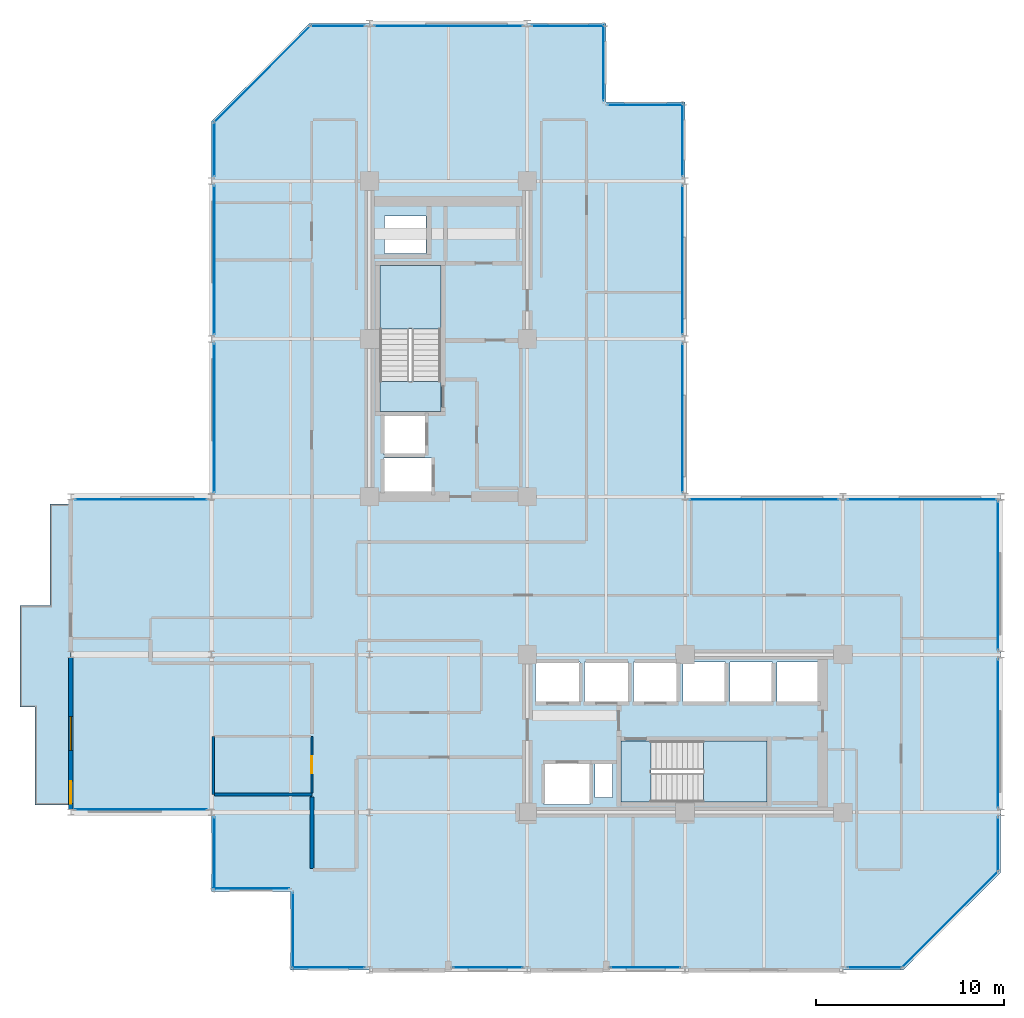
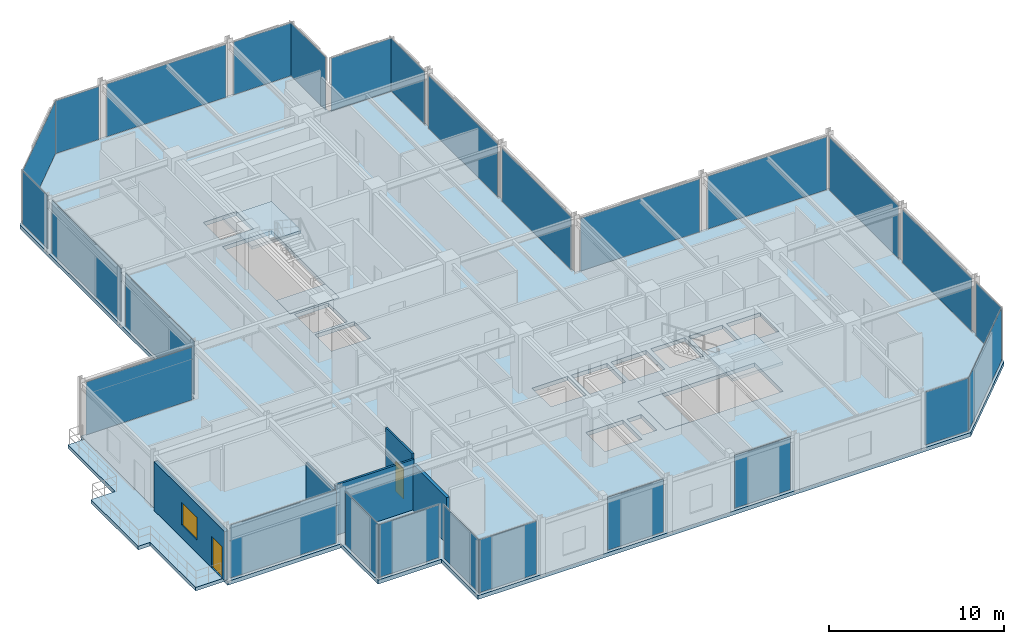
# One storey, part 23 of 29: 27 plates, 6 slabs, 5 walls, 2 doors, 1 window, 3 openings, 29 elements without a shape of their own.
"""IFC4 building model written with IfcOpenShell, lengths in metres."""

from ifc_helpers import new_model, si_unit, direction, frame, frame_2d, origin, origin_2d, place, context, subcontext, project, spatial, polyline, rectangle, outline, extrude, material, layer, layer_set, type_object, element, fill, aggregate, save


model = new_model("IFC4")

# Units and contexts
model_context = context("Model", 3, precision=1e-05, world=origin(), true_north=direction((0.0, 1.0)))
body_context = subcontext(model_context, "Body", "Model", "MODEL_VIEW")
ifc_project = project(units=[si_unit("LENGTHUNIT", "METRE"), si_unit("AREAUNIT", "SQUARE_METRE"), si_unit("VOLUMEUNIT", "CUBIC_METRE"), si_unit("PLANEANGLEUNIT", "RADIAN"), si_unit("MASSUNIT", "GRAM", prefix="KILO")], contexts=[model_context])

# Site, building, storey
site_placement = place(None, origin())
site = spatial("IfcSite", under=ifc_project, at=site_placement, CompositionType="ELEMENT")
building_placement = place(site_placement, origin())
building = spatial("IfcBuilding", under=site, at=building_placement, Name="Nerrivon Quay Data Exchange", CompositionType="ELEMENT")
storey_placement = place(building_placement, frame((0.0, 0.0, 200.10009765625)))
storey = spatial("IfcBuildingStorey", under=building, at=storey_placement, Name="L47", CompositionType="ELEMENT", Elevation=200.10009765625)

# Curtain wall, plate
ifc_material_1 = material(Name="Anodised aluminium 6063-T6", Category="aluminium")
ifc_layer_1 = layer(ifc_material_1, 0.199951171875)
ifc_layer_set_1 = layer_set([ifc_layer_1], Name="Anodised aluminium 6063-T6")
curtain_wall_type_1 = type_object("IfcCurtainWallType", Name="CW-SYS-04", PredefinedType="NOTDEFINED", material=ifc_layer_set_1)
curtain_wall_1_placement = place(storey_placement, origin())
curtain_wall_1 = element("IfcCurtainWall", 1, at=curtain_wall_1_placement, inside=storey, type_object=curtain_wall_type_1, Name="L47 Unitised Curtain Wall 3", PredefinedType="NOTDEFINED")
ifc_material_2 = material(Name="Double-glazed low-E solar control glass", Category="glass")
ifc_layer_2 = layer(ifc_material_2, 0.028076171875)
ifc_layer_set_2 = layer_set([ifc_layer_2], Name="Double-glazed low-E solar control glass")
plate_type = type_object("IfcPlateType", Name="CWP-GLZ-28", PredefinedType="CURTAIN_PANEL", material=ifc_layer_set_2)
plate_1_placement = place(storey_placement, frame((-3.759765625, 25.06005859375, 0.06494140625), z_axis=(0.0, 0.0, 1.0), x_axis=(1.0, 0.0, 0.0)))
plate_1 = element("IfcPlate", 2, at=plate_1_placement, type_object=plate_type, Name="CW04 panel 1.1", PredefinedType="CURTAIN_PANEL", context=body_context, shape_type="SweptSolid", body=[
    extrude(rectangle(XDim=7.01953125, YDim=0.028076171875, at=origin_2d()), origin(), (0.0, 0.0, 1.0), 3.695068359375),
])
aggregate(curtain_wall_1, [plate_1])

ifc_layer_3 = layer(ifc_material_1, 0.195068359375)
ifc_layer_set_3 = layer_set([ifc_layer_3], Name="Anodised aluminium 6063-T6")
curtain_wall_type_2 = type_object("IfcCurtainWallType", Name="CW-SYS-06", PredefinedType="NOTDEFINED", material=ifc_layer_set_3)
curtain_wall_2_placement = place(storey_placement, origin())
curtain_wall_2 = element("IfcCurtainWall", 3, at=curtain_wall_2_placement, inside=storey, type_object=curtain_wall_type_2, Name="L47 Unitised Curtain Wall 4", PredefinedType="NOTDEFINED")
plate_2_placement = place(storey_placement, frame((0.139892578125, 29.39990234375, 0.06494140625), z_axis=(0.0, 0.0, 1.0), x_axis=(0.0, 1.0, 0.0)))
plate_2 = element("IfcPlate", 4, at=plate_2_placement, type_object=plate_type, Name="CW06 panel 1.1", PredefinedType="CURTAIN_PANEL", context=body_context, shape_type="SweptSolid", body=[
    extrude(rectangle(XDim=7.89990234375, YDim=0.028076171875, at=origin_2d()), origin(), (0.0, 0.0, 1.0), 3.695068359375),
])
aggregate(curtain_wall_2, [plate_2])

curtain_wall_3_placement = place(storey_placement, origin())
curtain_wall_3 = element("IfcCurtainWall", 5, at=curtain_wall_3_placement, inside=storey, type_object=curtain_wall_type_2, Name="L47 Unitised Curtain Wall 5", PredefinedType="NOTDEFINED")
plate_3_placement = place(storey_placement, frame((0.139892578125, 37.800048828125, 0.06494140625), z_axis=(0.0, 0.0, 1.0), x_axis=(0.0, 1.0, 0.0)))
plate_3 = element("IfcPlate", 6, at=plate_3_placement, type_object=plate_type, Name="CW06 panel 1.1", PredefinedType="CURTAIN_PANEL", context=body_context, shape_type="SweptSolid", body=[
    extrude(rectangle(XDim=7.89990234375, YDim=0.028076171875, at=origin_2d()), origin(), (0.0, 0.0, 1.0), 3.695068359375),
])
aggregate(curtain_wall_3, [plate_3])

curtain_wall_4_placement = place(storey_placement, origin())
curtain_wall_4 = element("IfcCurtainWall", 7, at=curtain_wall_4_placement, inside=storey, type_object=curtain_wall_type_2, Name="L47 Unitised Curtain Wall 6", PredefinedType="NOTDEFINED")
plate_4_placement = place(storey_placement, frame((0.139892578125, 43.6875, 0.06494140625), z_axis=(0.0, 0.0, 1.0), x_axis=(0.0, 1.0, 0.0)))
plate_4 = element("IfcPlate", 8, at=plate_4_placement, type_object=plate_type, Name="CW06 panel 1.1", PredefinedType="CURTAIN_PANEL", context=body_context, shape_type="SweptSolid", body=[
    extrude(rectangle(XDim=2.875, YDim=0.028076171875, at=origin_2d()), origin(), (0.0, 0.0, 1.0), 3.695068359375),
])
aggregate(curtain_wall_4, [plate_4])

curtain_wall_5_placement = place(storey_placement, origin())
curtain_wall_5 = element("IfcCurtainWall", 9, at=curtain_wall_5_placement, inside=storey, type_object=curtain_wall_type_2, Name="L47 Unitised Curtain Wall 7", PredefinedType="NOTDEFINED")
plate_5_placement = place(storey_placement, frame((2.698974609375, 47.700927734375, 0.06494140625), z_axis=(0.0, 0.0, 1.0), x_axis=(0.707106781187, 0.707106781187, 0.0)))
plate_5 = element("IfcPlate", 10, at=plate_5_placement, type_object=plate_type, Name="CW06 panel 1.1", PredefinedType="CURTAIN_PANEL", context=body_context, shape_type="SweptSolid", body=[
    extrude(rectangle(XDim=7.203857421875, YDim=0.028076171875, at=origin_2d()), origin(), (0.0, 0.0, 1.0), 3.695068359375),
])
aggregate(curtain_wall_5, [plate_5])

curtain_wall_6_placement = place(storey_placement, origin())
curtain_wall_6 = element("IfcCurtainWall", 11, at=curtain_wall_6_placement, inside=storey, type_object=curtain_wall_type_2, Name="L47 Unitised Curtain Wall 8", PredefinedType="NOTDEFINED")
plate_6_placement = place(storey_placement, frame((6.71240234375, 50.260009765625, 0.06494140625), z_axis=(0.0, 0.0, 1.0), x_axis=(1.0, 0.0, 0.0)))
plate_6 = element("IfcPlate", 12, at=plate_6_placement, type_object=plate_type, Name="CW06 panel 1.1", PredefinedType="CURTAIN_PANEL", context=body_context, shape_type="SweptSolid", body=[
    extrude(rectangle(XDim=2.875, YDim=0.028076171875, at=origin_2d()), origin(), (0.0, 0.0, 1.0), 3.695068359375),
])
aggregate(curtain_wall_6, [plate_6])

curtain_wall_7_placement = place(storey_placement, origin())
curtain_wall_7 = element("IfcCurtainWall", 13, at=curtain_wall_7_placement, inside=storey, type_object=curtain_wall_type_2, Name="L47 Unitised Curtain Wall 9", PredefinedType="NOTDEFINED")
plate_7_placement = place(storey_placement, frame((12.60009765625, 50.260009765625, 0.06494140625), z_axis=(0.0, 0.0, 1.0), x_axis=(1.0, 0.0, 0.0)))
plate_7 = element("IfcPlate", 14, at=plate_7_placement, type_object=plate_type, Name="CW06 panel 1.1", PredefinedType="CURTAIN_PANEL", context=body_context, shape_type="SweptSolid", body=[
    extrude(rectangle(XDim=7.89990234375, YDim=0.028076171875, at=origin_2d()), origin(), (0.0, 0.0, 1.0), 3.695068359375),
])
aggregate(curtain_wall_7, [plate_7])

curtain_wall_8_placement = place(storey_placement, origin())
curtain_wall_8 = element("IfcCurtainWall", 15, at=curtain_wall_8_placement, inside=storey, type_object=curtain_wall_type_2, Name="L47 Unitised Curtain Wall 10", PredefinedType="NOTDEFINED")
plate_8_placement = place(storey_placement, frame((18.987548828125, 50.260009765625, 0.06494140625), z_axis=(0.0, 0.0, 1.0), x_axis=(1.0, 0.0, 0.0)))
plate_8 = element("IfcPlate", 16, at=plate_8_placement, type_object=plate_type, Name="CW06 panel 1.1", PredefinedType="CURTAIN_PANEL", context=body_context, shape_type="SweptSolid", body=[
    extrude(rectangle(XDim=3.875, YDim=0.028076171875, at=origin_2d()), origin(), (0.0, 0.0, 1.0), 3.695068359375),
])
aggregate(curtain_wall_8, [plate_8])

curtain_wall_9_placement = place(storey_placement, origin())
curtain_wall_9 = element("IfcCurtainWall", 17, at=curtain_wall_9_placement, inside=storey, type_object=curtain_wall_type_2, Name="L47 Unitised Curtain Wall 11", PredefinedType="NOTDEFINED")
plate_9_placement = place(storey_placement, frame((20.860107421875, 48.300048828125, 0.06494140625), z_axis=(0.0, 0.0, 1.0), x_axis=(0.0, -1.0, 0.0)))
plate_9 = element("IfcPlate", 18, at=plate_9_placement, type_object=plate_type, Name="CW06 panel 1.1", PredefinedType="CURTAIN_PANEL", context=body_context, shape_type="SweptSolid", body=[
    extrude(rectangle(XDim=4.050048828125, YDim=0.028076171875, at=origin_2d()), origin(), (0.0, 0.0, 1.0), 3.695068359375),
])
aggregate(curtain_wall_9, [plate_9])

curtain_wall_10_placement = place(storey_placement, origin())
curtain_wall_10 = element("IfcCurtainWall", 19, at=curtain_wall_10_placement, inside=storey, type_object=curtain_wall_type_2, Name="L47 Unitised Curtain Wall 12", PredefinedType="NOTDEFINED")
plate_10_placement = place(storey_placement, frame((23.10009765625, 46.06005859375, 0.06494140625), z_axis=(0.0, 0.0, 1.0), x_axis=(1.0, 0.0, 0.0)))
plate_10 = element("IfcPlate", 20, at=plate_10_placement, type_object=plate_type, Name="CW06 panel 1.1", PredefinedType="CURTAIN_PANEL", context=body_context, shape_type="SweptSolid", body=[
    extrude(rectangle(XDim=4.050048828125, YDim=0.028076171875, at=origin_2d()), origin(), (0.0, 0.0, 1.0), 3.695068359375),
])
aggregate(curtain_wall_10, [plate_10])

curtain_wall_11_placement = place(storey_placement, origin())
curtain_wall_11 = element("IfcCurtainWall", 21, at=curtain_wall_11_placement, inside=storey, type_object=curtain_wall_type_2, Name="L47 Unitised Curtain Wall 13", PredefinedType="NOTDEFINED")
plate_11_placement = place(storey_placement, frame((25.06005859375, 44.1875, 0.06494140625), z_axis=(0.0, 0.0, 1.0), x_axis=(0.0, -1.0, 0.0)))
plate_11 = element("IfcPlate", 22, at=plate_11_placement, type_object=plate_type, Name="CW06 panel 1.1", PredefinedType="CURTAIN_PANEL", context=body_context, shape_type="SweptSolid", body=[
    extrude(rectangle(XDim=3.875, YDim=0.028076171875, at=origin_2d()), origin(), (0.0, 0.0, 1.0), 3.695068359375),
])
aggregate(curtain_wall_11, [plate_11])

curtain_wall_12_placement = place(storey_placement, origin())
curtain_wall_12 = element("IfcCurtainWall", 23, at=curtain_wall_12_placement, inside=storey, type_object=curtain_wall_type_2, Name="L47 Unitised Curtain Wall 14", PredefinedType="NOTDEFINED")
plate_12_placement = place(storey_placement, frame((25.06005859375, 37.800048828125, 0.06494140625), z_axis=(0.0, 0.0, 1.0), x_axis=(0.0, -1.0, 0.0)))
plate_12 = element("IfcPlate", 24, at=plate_12_placement, type_object=plate_type, Name="CW06 panel 1.1", PredefinedType="CURTAIN_PANEL", context=body_context, shape_type="SweptSolid", body=[
    extrude(rectangle(XDim=7.89990234375, YDim=0.028076171875, at=origin_2d()), origin(), (0.0, 0.0, 1.0), 3.695068359375),
])
aggregate(curtain_wall_12, [plate_12])

curtain_wall_13_placement = place(storey_placement, origin())
curtain_wall_13 = element("IfcCurtainWall", 25, at=curtain_wall_13_placement, inside=storey, type_object=curtain_wall_type_2, Name="L47 Unitised Curtain Wall 15", PredefinedType="NOTDEFINED")
plate_13_placement = place(storey_placement, frame((25.06005859375, 29.39990234375, 0.06494140625), z_axis=(0.0, 0.0, 1.0), x_axis=(0.0, -1.0, 0.0)))
plate_13 = element("IfcPlate", 26, at=plate_13_placement, type_object=plate_type, Name="CW06 panel 1.1", PredefinedType="CURTAIN_PANEL", context=body_context, shape_type="SweptSolid", body=[
    extrude(rectangle(XDim=7.89990234375, YDim=0.028076171875, at=origin_2d()), origin(), (0.0, 0.0, 1.0), 3.695068359375),
])
aggregate(curtain_wall_13, [plate_13])

curtain_wall_14_placement = place(storey_placement, origin())
curtain_wall_14 = element("IfcCurtainWall", 27, at=curtain_wall_14_placement, inside=storey, type_object=curtain_wall_type_2, Name="L47 Unitised Curtain Wall 16", PredefinedType="NOTDEFINED")
plate_14_placement = place(storey_placement, frame((29.39990234375, 25.06005859375, 0.06494140625), z_axis=(0.0, 0.0, 1.0), x_axis=(1.0, 0.0, 0.0)))
plate_14 = element("IfcPlate", 28, at=plate_14_placement, type_object=plate_type, Name="CW06 panel 1.1", PredefinedType="CURTAIN_PANEL", context=body_context, shape_type="SweptSolid", body=[
    extrude(rectangle(XDim=7.89990234375, YDim=0.028076171875, at=origin_2d()), origin(), (0.0, 0.0, 1.0), 3.695068359375),
])
aggregate(curtain_wall_14, [plate_14])

curtain_wall_15_placement = place(storey_placement, origin())
curtain_wall_15 = element("IfcCurtainWall", 29, at=curtain_wall_15_placement, inside=storey, type_object=curtain_wall_type_2, Name="L47 Unitised Curtain Wall 17", PredefinedType="NOTDEFINED")
plate_15_placement = place(storey_placement, frame((37.800048828125, 25.06005859375, 0.06494140625), z_axis=(0.0, 0.0, 1.0), x_axis=(1.0, 0.0, 0.0)))
plate_15 = element("IfcPlate", 30, at=plate_15_placement, type_object=plate_type, Name="CW06 panel 1.1", PredefinedType="CURTAIN_PANEL", context=body_context, shape_type="SweptSolid", body=[
    extrude(rectangle(XDim=7.89990234375, YDim=0.028076171875, at=origin_2d()), origin(), (0.0, 0.0, 1.0), 3.695068359375),
])
aggregate(curtain_wall_15, [plate_15])

curtain_wall_16_placement = place(storey_placement, origin())
curtain_wall_16 = element("IfcCurtainWall", 31, at=curtain_wall_16_placement, inside=storey, type_object=curtain_wall_type_2, Name="L47 Unitised Curtain Wall 18", PredefinedType="NOTDEFINED")
plate_16_placement = place(storey_placement, frame((41.860107421875, 21.0, 0.06494140625), z_axis=(0.0, 0.0, 1.0), x_axis=(0.0, -1.0, 0.0)))
plate_16 = element("IfcPlate", 32, at=plate_16_placement, type_object=plate_type, Name="CW06 panel 1.1", PredefinedType="CURTAIN_PANEL", context=body_context, shape_type="SweptSolid", body=[
    extrude(rectangle(XDim=7.89990234375, YDim=0.028076171875, at=origin_2d()), origin(), (0.0, 0.0, 1.0), 3.695068359375),
])
aggregate(curtain_wall_16, [plate_16])

curtain_wall_17_placement = place(storey_placement, origin())
curtain_wall_17 = element("IfcCurtainWall", 33, at=curtain_wall_17_placement, inside=storey, type_object=curtain_wall_type_2, Name="L47 Unitised Curtain Wall 19", PredefinedType="NOTDEFINED")
plate_17_placement = place(storey_placement, frame((41.860107421875, 12.60009765625, 0.06494140625), z_axis=(0.0, 0.0, 1.0), x_axis=(0.0, -1.0, 0.0)))
plate_17 = element("IfcPlate", 34, at=plate_17_placement, type_object=plate_type, Name="CW06 panel 1.1", PredefinedType="CURTAIN_PANEL", context=body_context, shape_type="SweptSolid", body=[
    extrude(rectangle(XDim=7.89990234375, YDim=0.028076171875, at=origin_2d()), origin(), (0.0, 0.0, 1.0), 3.695068359375),
])
aggregate(curtain_wall_17, [plate_17])

curtain_wall_18_placement = place(storey_placement, origin())
curtain_wall_18 = element("IfcCurtainWall", 35, at=curtain_wall_18_placement, inside=storey, type_object=curtain_wall_type_2, Name="L47 Unitised Curtain Wall 20", PredefinedType="NOTDEFINED")
plate_18_placement = place(storey_placement, frame((41.860107421875, 6.71240234375, 0.06494140625), z_axis=(0.0, 0.0, 1.0), x_axis=(0.0, -1.0, 0.0)))
plate_18 = element("IfcPlate", 36, at=plate_18_placement, type_object=plate_type, Name="CW06 panel 1.1", PredefinedType="CURTAIN_PANEL", context=body_context, shape_type="SweptSolid", body=[
    extrude(rectangle(XDim=2.875, YDim=0.028076171875, at=origin_2d()), origin(), (0.0, 0.0, 1.0), 3.695068359375),
])
aggregate(curtain_wall_18, [plate_18])

curtain_wall_19_placement = place(storey_placement, origin())
curtain_wall_19 = element("IfcCurtainWall", 37, at=curtain_wall_19_placement, inside=storey, type_object=curtain_wall_type_2, Name="L47 Unitised Curtain Wall 21", PredefinedType="NOTDEFINED")
plate_19_placement = place(storey_placement, frame((39.301025390625, 2.698974609375, 0.06494140625), z_axis=(0.0, 0.0, 1.0), x_axis=(-0.707106781187, -0.707106781187, 0.0)))
plate_19 = element("IfcPlate", 38, at=plate_19_placement, type_object=plate_type, Name="CW06 panel 1.1", PredefinedType="CURTAIN_PANEL", context=body_context, shape_type="SweptSolid", body=[
    extrude(rectangle(XDim=7.203857421875, YDim=0.028076171875, at=origin_2d()), origin(), (0.0, 0.0, 1.0), 3.695068359375),
])
aggregate(curtain_wall_19, [plate_19])

curtain_wall_20_placement = place(storey_placement, origin())
curtain_wall_20 = element("IfcCurtainWall", 39, at=curtain_wall_20_placement, inside=storey, type_object=curtain_wall_type_2, Name="L47 Unitised Curtain Wall 22", PredefinedType="NOTDEFINED")
plate_20_placement = place(storey_placement, frame((35.28759765625, 0.139892578125, 0.06494140625), z_axis=(0.0, 0.0, 1.0), x_axis=(-1.0, 0.0, 0.0)))
plate_20 = element("IfcPlate", 40, at=plate_20_placement, type_object=plate_type, Name="CW06 panel 1.1", PredefinedType="CURTAIN_PANEL", context=body_context, shape_type="SweptSolid", body=[
    extrude(rectangle(XDim=2.875, YDim=0.028076171875, at=origin_2d()), origin(), (0.0, 0.0, 1.0), 3.695068359375),
])
aggregate(curtain_wall_20, [plate_20])

curtain_wall_21_placement = place(storey_placement, origin())
curtain_wall_21 = element("IfcCurtainWall", 41, at=curtain_wall_21_placement, inside=storey, type_object=curtain_wall_type_2, Name="L47 Unitised Curtain Wall 24", PredefinedType="NOTDEFINED")
plate_21_placement = place(storey_placement, frame((23.10009765625, 0.139892578125, 0.06494140625), z_axis=(0.0, 0.0, 1.0), x_axis=(-1.0, 0.0, 0.0)))
plate_21 = element("IfcPlate", 42, at=plate_21_placement, type_object=plate_type, Name="CW06 panel 1.1", PredefinedType="CURTAIN_PANEL", context=body_context, shape_type="SweptSolid", body=[
    extrude(rectangle(XDim=3.699951171875, YDim=0.028076171875, at=origin_2d()), origin(), (0.0, 0.0, 1.0), 3.695068359375),
])
aggregate(curtain_wall_21, [plate_21])

curtain_wall_22_placement = place(storey_placement, origin())
curtain_wall_22 = element("IfcCurtainWall", 43, at=curtain_wall_22_placement, inside=storey, type_object=curtain_wall_type_2, Name="L47 Unitised Curtain Wall 26", PredefinedType="NOTDEFINED")
plate_22_placement = place(storey_placement, frame((14.699951171875, 0.139892578125, 0.06494140625), z_axis=(0.0, 0.0, 1.0), x_axis=(-1.0, 0.0, 0.0)))
plate_22 = element("IfcPlate", 44, at=plate_22_placement, type_object=plate_type, Name="CW06 panel 1.1", PredefinedType="CURTAIN_PANEL", context=body_context, shape_type="SweptSolid", body=[
    extrude(rectangle(XDim=3.699951171875, YDim=0.028076171875, at=origin_2d()), origin(), (0.0, 0.0, 1.0), 3.695068359375),
])
aggregate(curtain_wall_22, [plate_22])

curtain_wall_23_placement = place(storey_placement, origin())
curtain_wall_23 = element("IfcCurtainWall", 45, at=curtain_wall_23_placement, inside=storey, type_object=curtain_wall_type_2, Name="L47 Unitised Curtain Wall 28", PredefinedType="NOTDEFINED")
plate_23_placement = place(storey_placement, frame((6.21240234375, 0.139892578125, 0.06494140625), z_axis=(0.0, 0.0, 1.0), x_axis=(-1.0, 0.0, 0.0)))
plate_23 = element("IfcPlate", 46, at=plate_23_placement, type_object=plate_type, Name="CW06 panel 1.1", PredefinedType="CURTAIN_PANEL", context=body_context, shape_type="SweptSolid", body=[
    extrude(rectangle(XDim=3.875, YDim=0.028076171875, at=origin_2d()), origin(), (0.0, 0.0, 1.0), 3.695068359375),
])
aggregate(curtain_wall_23, [plate_23])

curtain_wall_24_placement = place(storey_placement, origin())
curtain_wall_24 = element("IfcCurtainWall", 47, at=curtain_wall_24_placement, inside=storey, type_object=curtain_wall_type_2, Name="L47 Unitised Curtain Wall 29", PredefinedType="NOTDEFINED")
plate_24_placement = place(storey_placement, frame((4.340087890625, 2.10009765625, 0.06494140625), z_axis=(0.0, 0.0, 1.0), x_axis=(0.0, 1.0, 0.0)))
plate_24 = element("IfcPlate", 48, at=plate_24_placement, type_object=plate_type, Name="CW06 panel 1.1", PredefinedType="CURTAIN_PANEL", context=body_context, shape_type="SweptSolid", body=[
    extrude(rectangle(XDim=4.050048828125, YDim=0.028076171875, at=origin_2d()), origin(), (0.0, 0.0, 1.0), 3.695068359375),
])
aggregate(curtain_wall_24, [plate_24])

curtain_wall_25_placement = place(storey_placement, origin())
curtain_wall_25 = element("IfcCurtainWall", 49, at=curtain_wall_25_placement, inside=storey, type_object=curtain_wall_type_2, Name="L47 Unitised Curtain Wall 30", PredefinedType="NOTDEFINED")
plate_25_placement = place(storey_placement, frame((2.10009765625, 4.340087890625, 0.06494140625), z_axis=(0.0, 0.0, 1.0), x_axis=(-1.0, 0.0, 0.0)))
plate_25 = element("IfcPlate", 50, at=plate_25_placement, type_object=plate_type, Name="CW06 panel 1.1", PredefinedType="CURTAIN_PANEL", context=body_context, shape_type="SweptSolid", body=[
    extrude(rectangle(XDim=4.050048828125, YDim=0.028076171875, at=origin_2d()), origin(), (0.0, 0.0, 1.0), 3.695068359375),
])
aggregate(curtain_wall_25, [plate_25])

curtain_wall_26_placement = place(storey_placement, origin())
curtain_wall_26 = element("IfcCurtainWall", 51, at=curtain_wall_26_placement, inside=storey, type_object=curtain_wall_type_2, Name="L47 Unitised Curtain Wall 31", PredefinedType="NOTDEFINED")
plate_26_placement = place(storey_placement, frame((0.139892578125, 6.21240234375, 0.06494140625), z_axis=(0.0, 0.0, 1.0), x_axis=(0.0, 1.0, 0.0)))
plate_26 = element("IfcPlate", 52, at=plate_26_placement, type_object=plate_type, Name="CW06 panel 1.1", PredefinedType="CURTAIN_PANEL", context=body_context, shape_type="SweptSolid", body=[
    extrude(rectangle(XDim=3.875, YDim=0.028076171875, at=origin_2d()), origin(), (0.0, 0.0, 1.0), 3.695068359375),
])
aggregate(curtain_wall_26, [plate_26])

curtain_wall_27_placement = place(storey_placement, origin())
curtain_wall_27 = element("IfcCurtainWall", 53, at=curtain_wall_27_placement, inside=storey, type_object=curtain_wall_type_1, Name="L47 Unitised Curtain Wall 32", PredefinedType="NOTDEFINED")
plate_27_placement = place(storey_placement, frame((-3.759765625, 8.5400390625, 0.06494140625), z_axis=(0.0, 0.0, 1.0), x_axis=(-1.0, 0.0, 0.0)))
plate_27 = element("IfcPlate", 54, at=plate_27_placement, type_object=plate_type, Name="CW04 panel 1.1", PredefinedType="CURTAIN_PANEL", context=body_context, shape_type="SweptSolid", body=[
    extrude(rectangle(XDim=7.01953125, YDim=0.028076171875, at=origin_2d()), origin(), (0.0, 0.0, 1.0), 3.695068359375),
])
aggregate(curtain_wall_27, [plate_27])

# Slab
ifc_material_3 = material(Name="Precast white architectural concrete N50 (50 MPa)", Category="concrete")
ifc_layer_4 = layer(ifc_material_3, 0.25)
ifc_layer_set_4 = layer_set([ifc_layer_4], Name="Precast white architectural concrete N50 (50 MPa)")
slab_type_1 = type_object("IfcSlabType", Name="SLB-BAL-250", PredefinedType="FLOOR", material=ifc_layer_set_4)
slab_1_placement = place(storey_placement, frame((0.0, 0.0, -0.25)))
element("IfcSlab", 55, at=slab_1_placement, inside=storey, type_object=slab_type_1, Name="L47 West Hooked Drifting Verandah", PredefinedType="FLOOR", context=body_context, shape_type="SweptSolid", body=[
    extrude(outline(polyline([(-7.5, 14.0), (-7.5, 19.39990234375), (-7.5, 24.800048828125), (-8.60009765625, 24.800048828125), (-8.60009765625, 19.39990234375), (-10.199951171875, 19.39990234375), (-10.199951171875, 14.0), (-9.39990234375, 14.0), (-9.39990234375, 8.800048828125), (-7.5, 8.800048828125), (-7.5, 14.0)])), origin(), (0.0, 0.0, 1.0), 0.25),
])

# Stair, slab
ifc_material_4 = material(Name="Concrete N50 (50 MPa)", Category="concrete")
stair_type = type_object("IfcStairType", Name="STAIR-DOG-41", PredefinedType="HALF_TURN_STAIR", material=ifc_material_4)
stair_1_placement = place(storey_placement, origin())
stair_1 = element("IfcStair", 56, at=stair_1_placement, inside=storey, type_object=stair_type, Name="L47 West Core Fire Stair ST01", PredefinedType="HALF_TURN_STAIR")
ifc_layer_5 = layer(ifc_material_4, 0.199951171875)
ifc_layer_set_5 = layer_set([ifc_layer_5], Name="Concrete N50 (50 MPa)")
slab_type_2 = type_object("IfcSlabType", Name="SLB-LAND-200", PredefinedType="LANDING", material=ifc_layer_set_5)
slab_2_placement = place(storey_placement, frame((0.0, 0.0, 1.849853515625)))
slab_2 = element("IfcSlab", 57, at=slab_2_placement, type_object=slab_type_2, Name="ST01 landing 1", PredefinedType="LANDING", context=body_context, shape_type="SweptSolid", body=[
    extrude(outline(polyline([(12.199951171875, 34.1298828125), (12.199951171875, 37.5), (8.949951171875, 37.5), (8.949951171875, 34.1298828125), (12.199951171875, 34.1298828125)])), origin(), (0.0, 0.0, 1.0), 0.199951171875),
])
aggregate(stair_1, [slab_2])

# Slab
slab_3_placement = place(storey_placement, frame((0.0, 0.0, -0.2001953125)))
element("IfcSlab", 58, at=slab_3_placement, inside=storey, type_object=slab_type_2, Name="L47 ST01 floor landing", PredefinedType="LANDING", context=body_context, shape_type="SweptSolid", body=[
    extrude(outline(polyline([(12.199951171875, 29.75), (12.199951171875, 31.330078125), (8.949951171875, 31.330078125), (8.949951171875, 29.75), (12.199951171875, 29.75)])), origin(), (0.0, 0.0, 1.0), 0.2001953125),
])

# Stair, slab
stair_2_placement = place(storey_placement, origin())
stair_2 = element("IfcStair", 59, at=stair_2_placement, inside=storey, type_object=stair_type, Name="L47 East Core Fire Stair ST02", PredefinedType="HALF_TURN_STAIR")
slab_4_placement = place(storey_placement, frame((0.0, 0.0, 1.849853515625)))
slab_4 = element("IfcSlab", 60, at=slab_4_placement, type_object=slab_type_2, Name="ST02 landing 1", PredefinedType="LANDING", context=body_context, shape_type="SweptSolid", body=[
    extrude(outline(polyline([(26.179931640625, 8.949951171875), (29.550048828125, 8.949951171875), (29.550048828125, 12.199951171875), (26.179931640625, 12.199951171875), (26.179931640625, 8.949951171875)])), origin(), (0.0, 0.0, 1.0), 0.199951171875),
])
aggregate(stair_2, [slab_4])

# Slabs
slab_5_placement = place(storey_placement, frame((0.0, 0.0, -0.2001953125)))
element("IfcSlab", 61, at=slab_5_placement, inside=storey, type_object=slab_type_2, Name="L47 ST02 floor landing", PredefinedType="LANDING", context=body_context, shape_type="SweptSolid", body=[
    extrude(outline(polyline([(21.800048828125, 8.949951171875), (23.3798828125, 8.949951171875), (23.3798828125, 12.199951171875), (21.800048828125, 12.199951171875), (21.800048828125, 8.949951171875)])), origin(), (0.0, 0.0, 1.0), 0.2001953125),
])
ifc_layer_6 = layer(ifc_material_4, 0.27490234375)
ifc_layer_set_6 = layer_set([ifc_layer_6], Name="Concrete N50 (50 MPa)")
slab_type_3 = type_object("IfcSlabType", Name="SLB-TOW-275", PredefinedType="FLOOR", material=ifc_layer_set_6)
slab_6_placement = place(storey_placement, frame((0.0, 0.0, -0.275146484375)))
element("IfcSlab", 62, at=slab_6_placement, inside=storey, type_object=slab_type_3, Name="L47 Primary Structural Slab", PredefinedType="FLOOR", context=body_context, shape_type="SweptSolid", body=[
    extrude(outline(polyline([(0.0, 8.39990234375), (0.0, 4.199951171875), (4.199951171875, 4.199951171875), (4.199951171875, 0.0), (36.800048828125, 0.0), (42.0, 5.199951171875), (42.0, 25.199951171875), (25.199951171875, 25.199951171875), (25.199951171875, 46.199951171875), (21.0, 46.199951171875), (21.0, 50.39990234375), (5.199951171875, 50.39990234375), (0.0, 45.199951171875), (0.0, 25.199951171875), (-7.5, 25.199951171875), (-7.5, 8.39990234375), (0.0, 8.39990234375)]), holes=[polyline([(8.949951171875, 29.75), (8.949951171875, 37.5), (12.199951171875, 37.5), (12.199951171875, 29.75), (8.949951171875, 29.75)]), polyline([(21.800048828125, 12.199951171875), (29.550048828125, 12.199951171875), (29.550048828125, 8.949951171875), (21.800048828125, 8.949951171875), (21.800048828125, 12.199951171875)]), polyline([(30.10009765625, 16.39990234375), (32.35009765625, 16.39990234375), (32.35009765625, 14.25), (30.10009765625, 14.25), (30.10009765625, 16.39990234375)]), polyline([(27.60009765625, 16.39990234375), (29.85009765625, 16.39990234375), (29.85009765625, 14.25), (27.60009765625, 14.25), (27.60009765625, 16.39990234375)]), polyline([(25.10009765625, 14.25), (25.10009765625, 16.39990234375), (27.35009765625, 16.39990234375), (27.35009765625, 14.25), (25.10009765625, 14.25)]), polyline([(22.449951171875, 16.39990234375), (24.800048828125, 16.39990234375), (24.800048828125, 14.25), (22.449951171875, 14.25), (22.449951171875, 16.39990234375)]), polyline([(19.85009765625, 16.39990234375), (22.199951171875, 16.39990234375), (22.199951171875, 14.25), (19.85009765625, 14.25), (19.85009765625, 16.39990234375)]), polyline([(20.39990234375, 9.199951171875), (20.39990234375, 11.0), (21.35009765625, 11.0), (21.35009765625, 9.199951171875), (20.39990234375, 9.199951171875)]), polyline([(17.699951171875, 8.830078125), (17.699951171875, 11.030029296875), (20.14990234375, 11.030029296875), (20.14990234375, 8.830078125), (17.699951171875, 8.830078125)]), polyline([(17.25, 14.25), (17.25, 16.39990234375), (19.60009765625, 16.39990234375), (19.60009765625, 14.25), (17.25, 14.25)]), polyline([(9.14990234375, 27.25), (11.75, 27.25), (11.75, 25.35009765625), (9.14990234375, 25.35009765625), (9.14990234375, 27.25)]), polyline([(9.14990234375, 29.60009765625), (11.39990234375, 29.60009765625), (11.39990234375, 27.449951171875), (9.14990234375, 27.449951171875), (9.14990234375, 29.60009765625)]), polyline([(9.199951171875, 38.14990234375), (9.199951171875, 40.14990234375), (11.39990234375, 40.14990234375), (11.39990234375, 38.14990234375), (9.199951171875, 38.14990234375)])]), origin(), (0.0, 0.0, 1.0), 0.275146484375),
])

# Wall, openings, door, window
ifc_material_5 = material(Name="Architectural terracotta precast concrete N50 (50 MPa)", Category="masonry")
ifc_layer_7 = layer(ifc_material_5, 0.239990234375)
ifc_layer_set_7 = layer_set([ifc_layer_7], Name="Architectural terracotta precast concrete N50 (50 MPa)")
wall_type_1 = type_object("IfcWallType", Name="EW-PREC-240", PredefinedType="STANDARD", material=ifc_layer_set_7)
wall_1_placement = place(storey_placement, frame((-7.5, 8.5634765625, 0.0), z_axis=(0.0, 0.0, 1.0), x_axis=(0.0, 1.0, 0.0)))
wall_1 = element("IfcWall", 63, at=wall_1_placement, inside=storey, type_object=wall_type_1, Name="L47 Terrace Host Wall 1", PredefinedType="STANDARD", context=body_context, shape_type="SweptSolid", body=[
    extrude(rectangle(XDim=8.072998046875, YDim=0.239990234375, at=frame_2d((4.03662109375, 0.0))), origin(), (0.0, 0.0, 1.0), 3.421875),
])
opening_1_placement = place(wall_1_placement, frame((0.300048828125, 0.0, 0.0)))
opening_1 = element("IfcOpeningElement", 64, at=opening_1_placement, cuts=wall_1, Name="Opening TD1", PredefinedType="OPENING", context=body_context, shape_type="SweptSolid", body=[
    extrude(rectangle(XDim=1.199951171875, YDim=2.199951171875, at=frame_2d((0.60009765625, 1.10009765625))), frame((0.0, 0.1298828125, 0.0), z_axis=(0.0, -1.0, 0.0), x_axis=(1.0, 0.0, 0.0)), (0.0, 0.0, 1.0), 0.260009765625),
])
opening_2_placement = place(wall_1_placement, frame((3.136474609375, 0.0, 0.89990234375)))
opening_2 = element("IfcOpeningElement", 65, at=opening_2_placement, cuts=wall_1, Name="Opening WN2", PredefinedType="OPENING", context=body_context, shape_type="SweptSolid", body=[
    extrude(rectangle(XDim=1.800048828125, YDim=1.60009765625, at=frame_2d((0.89990234375, 0.800048828125))), frame((0.0, 0.1298828125, 0.0), z_axis=(0.0, -1.0, 0.0), x_axis=(1.0, 0.0, 0.0)), (0.0, 0.0, 1.0), 0.260009765625),
])
door_type_1 = type_object("IfcDoorType", Name="DR-TERR-1200x2200", OperationType="NOTDEFINED", PredefinedType="DOOR", material=ifc_material_2)
door_1_placement = place(opening_1_placement, origin())
door_1 = element("IfcDoor", 66, at=door_1_placement, inside=storey, type_object=door_type_1, Name="L47 Outdoor Terrace Access Door 1", OperationType="SINGLE_SWING_RIGHT", OverallHeight=2.199951171875, OverallWidth=1.199951171875, PredefinedType="DOOR", context=body_context, shape_type="SweptSolid", body=[
    extrude(rectangle(XDim=1.199951171875, YDim=2.199951171875, at=frame_2d((0.60009765625, 1.10009765625))), frame((0.0, 0.02490234375, 0.0), z_axis=(0.0, -1.0, 0.0), x_axis=(1.0, 0.0, 0.0)), (0.0, 0.0, 1.0), 0.050048828125),
])
fill(opening_1, door_1)
window_type = type_object("IfcWindowType", Name="WIN-W2-1800x1600", PartitioningType="SINGLE_PANEL", PredefinedType="WINDOW", material=ifc_material_2)
window_placement = place(opening_2_placement, origin())
window = element("IfcWindow", 67, at=window_placement, inside=storey, type_object=window_type, Name="L47 Terrace Side Window 1", OverallHeight=1.60009765625, OverallWidth=1.800048828125, PartitioningType="SINGLE_PANEL", PredefinedType="WINDOW", context=body_context, shape_type="SweptSolid", body=[
    extrude(rectangle(XDim=1.800048828125, YDim=1.60009765625, at=frame_2d((0.89990234375, 0.800048828125))), frame((0.0, 0.030029296875, 0.0), z_axis=(0.0, -1.0, 0.0), x_axis=(1.0, 0.0, 0.0)), (0.0, 0.0, 1.0), 0.06005859375),
])
fill(opening_2, window)

# Walls
ifc_material_6 = material(Name="Gypsum plasterboard on cold-formed framing", Category="gypsum")
ifc_layer_8 = layer(ifc_material_6, 0.199951171875)
ifc_layer_set_8 = layer_set([ifc_layer_8], Name="Gypsum plasterboard on cold-formed framing")
wall_type_2 = type_object("IfcWallType", Name="WALL-FW-200", PredefinedType="PARTITIONING", material=ifc_layer_set_8)
wall_2_placement = place(storey_placement, frame((5.340087890625, 5.39990234375, 0.0), z_axis=(0.0, 0.0, 1.0), x_axis=(0.0, 1.0, 0.0)))
element("IfcWall", 68, at=wall_2_placement, inside=storey, type_object=wall_type_2, Name="L47 Partition Colocation Data Workspace 1", PredefinedType="PARTITIONING", context=body_context, shape_type="SweptSolid", body=[
    extrude(rectangle(XDim=3.830078125, YDim=0.199951171875, at=frame_2d((1.9150390625, 0.0))), origin(), (0.0, 0.0, 1.0), 3.212890625),
])
ifc_layer_9 = layer(ifc_material_6, 0.1201171875)
ifc_layer_set_9 = layer_set([ifc_layer_9], Name="Gypsum plasterboard on cold-formed framing")
wall_type_3 = type_object("IfcWallType", Name="WALL-PT-120", PredefinedType="PARTITIONING", material=ifc_layer_set_9)
wall_3_placement = place(storey_placement, frame((0.080078125, 12.449951171875, 0.0), z_axis=(0.0, 0.0, 1.0), x_axis=(0.0, -1.0, 0.0)))
element("IfcWall", 69, at=wall_3_placement, inside=storey, type_object=wall_type_3, Name="L47 Partition Public Washrooms", PredefinedType="PARTITIONING", context=body_context, shape_type="SweptSolid", body=[
    extrude(rectangle(XDim=3.099853515625, YDim=0.1201171875, at=frame_2d((1.5498046875, 0.0))), origin(), (0.0, 0.0, 1.0), 3.222900390625),
])

# Wall, opening, door
wall_4_placement = place(storey_placement, frame((5.340087890625, 9.42138671875, 0.0), z_axis=(0.0, 0.0, 1.0), x_axis=(0.0, 1.0, 0.0)))
wall_4 = element("IfcWall", 70, at=wall_4_placement, inside=storey, type_object=wall_type_3, Name="L47 Partition Public Washrooms", PredefinedType="PARTITIONING", context=body_context, shape_type="SweptSolid", body=[
    extrude(rectangle(XDim=3.028564453125, YDim=0.1201171875, at=frame_2d((1.51416015625, 0.0))), origin(), (0.0, 0.0, 1.0), 3.824951171875),
])
opening_3_placement = place(wall_4_placement, frame((1.05419921875, 0.0, 0.0)))
opening_3 = element("IfcOpeningElement", 71, at=opening_3_placement, cuts=wall_4, Name="Opening D-WC", PredefinedType="OPENING", context=body_context, shape_type="SweptSolid", body=[
    extrude(rectangle(XDim=0.919921875, YDim=2.10009765625, at=frame_2d((0.4599609375, 1.050048828125))), frame((0.0, 0.070068359375, 0.0), z_axis=(0.0, -1.0, 0.0), x_axis=(1.0, 0.0, 0.0)), (0.0, 0.0, 1.0), 0.14013671875),
])
ifc_material_7 = material(Name="Engineered hardwood timber", Category="wood")
door_type_2 = type_object("IfcDoorType", Name="DR-WC-920", OperationType="NOTDEFINED", PredefinedType="DOOR", material=ifc_material_7)
door_2_placement = place(opening_3_placement, origin())
door_2 = element("IfcDoor", 72, at=door_2_placement, inside=storey, type_object=door_type_2, Name="L47 Door Public Washrooms", OperationType="SINGLE_SWING_LEFT", OverallHeight=2.10009765625, OverallWidth=0.919921875, PredefinedType="DOOR", context=body_context, shape_type="SweptSolid", body=[
    extrude(rectangle(XDim=0.919921875, YDim=2.10009765625, at=frame_2d((0.4599609375, 1.050048828125))), frame((0.0, 0.02490234375, 0.0), z_axis=(0.0, -1.0, 0.0), x_axis=(1.0, 0.0, 0.0)), (0.0, 0.0, 1.0), 0.050048828125),
])
fill(opening_3, door_2)

# Wall
ifc_layer_10 = layer(ifc_material_6, 0.135009765625)
ifc_layer_set_10 = layer_set([ifc_layer_10], Name="Gypsum plasterboard on cold-formed framing")
wall_type_4 = type_object("IfcWallType", Name="WALL-PT-135", PredefinedType="PARTITIONING", material=ifc_layer_set_10)
wall_5_placement = place(storey_placement, frame((0.14404296875, 9.35009765625, 0.0), z_axis=(0.0, 0.0, 1.0), x_axis=(1.0, 0.0, 0.0)))
element("IfcWall", 73, at=wall_5_placement, inside=storey, type_object=wall_type_4, Name="L47 Partition Public Washrooms", PredefinedType="PARTITIONING", context=body_context, shape_type="SweptSolid", body=[
    extrude(rectangle(XDim=5.196044921875, YDim=0.135009765625, at=frame_2d((2.59814453125, 0.0))), origin(), (0.0, 0.0, 1.0), 3.517822265625),
])

save(model, "model.ifc")
